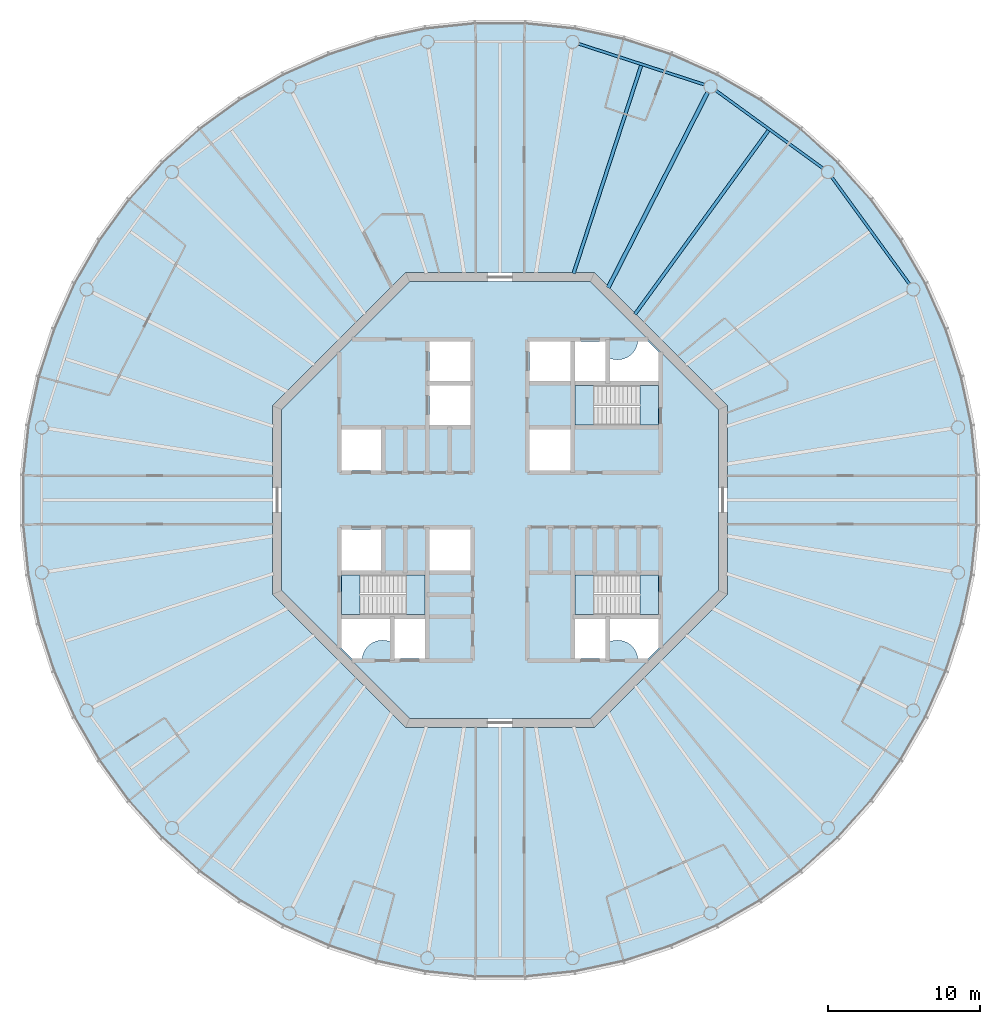
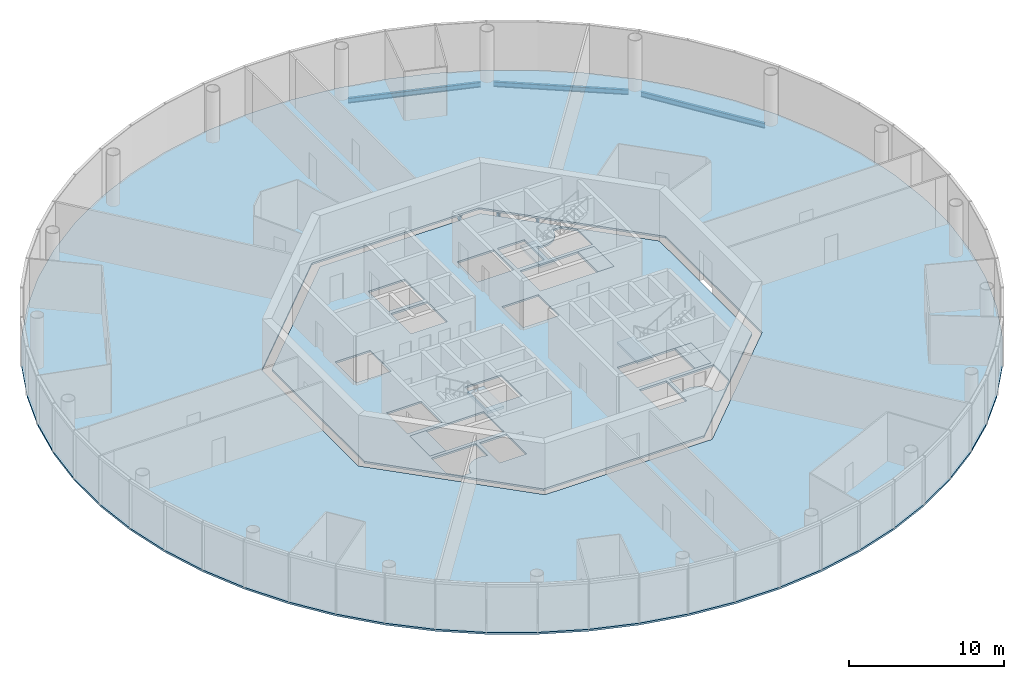
# One storey, part 2 of 13: 8 slabs, 6 beams, 3 elements without a shape of their own.
"""IFC4 building model written with IfcOpenShell, lengths in metres."""

from ifc_helpers import new_model, si_unit, direction, frame, origin, origin_2d, place, context, subcontext, project, spatial, polyline, i_section, outline, extrude, material, layer, layer_set, material_profile, profile_set, type_object, element, aggregate, save


model = new_model("IFC4")

# Units and contexts
model_context = context("Model", 3, precision=1e-05, world=origin(), true_north=direction((0.0, 1.0)))
body_context = subcontext(model_context, "Body", "Model", "MODEL_VIEW")
ifc_project = project(units=[si_unit("LENGTHUNIT", "METRE"), si_unit("AREAUNIT", "SQUARE_METRE"), si_unit("VOLUMEUNIT", "CUBIC_METRE"), si_unit("PLANEANGLEUNIT", "RADIAN"), si_unit("MASSUNIT", "GRAM", prefix="KILO")], contexts=[model_context])

# Site, building, storey
site_placement = place(None, origin())
site = spatial("IfcSite", under=ifc_project, at=site_placement, CompositionType="ELEMENT")
building_placement = place(site_placement, origin())
building = spatial("IfcBuilding", under=site, at=building_placement, Name="Entoto Ring Tower", CompositionType="ELEMENT")
storey_placement = place(building_placement, frame((0.0, 0.0, 384.0)))
storey = spatial("IfcBuildingStorey", under=building, at=storey_placement, Name="L89", CompositionType="ELEMENT", Elevation=384.0)

# Beams
ifc_material_1 = material(Name="Steel S355", Category="steel")
ifc_material_profile_1 = material_profile(ifc_material_1, i_section(OverallWidth=0.179931640625, OverallDepth=0.39990234375, WebThickness=0.008544921875, FlangeThickness=0.013427734375, FilletRadius=0.02099609375, at=origin_2d()), Name="IPE 400")
ifc_profile_set_1 = profile_set([ifc_material_profile_1], Name="Steel S355")
beam_type_1 = type_object("IfcBeamType", Name="Edge beam IPE 400", PredefinedType="SPANDREL", material=ifc_profile_set_1)
for number, where, z_axis, x_axis, name in (
    (1, (117.017333984375, 94.232666015625, -0.35009765625), (-0.587794254874, 0.80901045354, 0.0), (-0.80901045354, -0.587794254874, 0.0), "Edge beam L89 02"),
    (2, (111.296875, 101.884765625, -0.35009765625), (-0.80901045354, 0.587794254874, 0.0), (-0.587794254874, -0.80901045354, 0.0), "Edge beam L89 03"),
):
    element("IfcBeam", number, at=place(storey_placement, frame(where, z_axis=z_axis, x_axis=x_axis)), inside=storey, type_object=beam_type_1, Name=name, PredefinedType="SPANDREL", context=body_context, shape_type="SweptSolid", body=[
        extrude(i_section(OverallWidth=0.179931640625, OverallDepth=0.39990234375, WebThickness=0.008544921875, FlangeThickness=0.013427734375, FilletRadius=0.02099609375, at=origin_2d()), origin(), (0.0, 0.0, 1.0), 8.73193359375),
    ])
beam_1_placement = place(storey_placement, frame((103.491943359375, 107.394775390625, -0.35009765625), z_axis=(-0.951052147972, 0.309030438368, 0.0), x_axis=(-0.309030438368, -0.951052147972, 0.0)))
element("IfcBeam", 3, at=beam_1_placement, inside=storey, type_object=beam_type_1, Name="Edge beam L89 04", PredefinedType="SPANDREL", context=body_context, shape_type="SweptSolid", body=[
    extrude(i_section(OverallWidth=0.179931640625, OverallDepth=0.39990234375, WebThickness=0.008544921875, FlangeThickness=0.013427734375, FilletRadius=0.02099609375, at=origin_2d()), origin(), (0.0, 0.0, 1.0), 8.732177734375),
])
ifc_material_2 = material(Name="Steel S355", Category="steel")
ifc_material_profile_2 = material_profile(ifc_material_2, i_section(OverallWidth=0.262939453125, OverallDepth=0.7529296875, WebThickness=0.011474609375, FlangeThickness=0.01708984375, FilletRadius=0.01708984375, at=origin_2d()), Name="IPE 750 x 137")
ifc_profile_set_2 = profile_set([ifc_material_profile_2], Name="Steel S355")
beam_type_2 = type_object("IfcBeamType", Name="Primary floor beam IPE 750 x 137", PredefinedType="BEAM", material=ifc_profile_set_2)
beam_2_placement = place(storey_placement, frame((97.1318359375, 93.9970703125, -0.526611328125), z_axis=(0.453991952968, 0.89100578373, 0.0), x_axis=(-0.89100578373, 0.453991952968, 0.0)))
element("IfcBeam", 4, at=beam_2_placement, inside=storey, type_object=beam_type_2, Name="Primary L89 R04", PredefinedType="BEAM", context=body_context, shape_type="SweptSolid", body=[
    extrude(i_section(OverallWidth=0.262939453125, OverallDepth=0.7529296875, WebThickness=0.011474609375, FlangeThickness=0.01708984375, FilletRadius=0.01708984375, at=origin_2d()), origin(), (0.0, 0.0, 1.0), 14.48046875),
])
ifc_material_3 = material(Name="Steel S355", Category="steel")
ifc_material_profile_3 = material_profile(ifc_material_3, i_section(OverallWidth=0.219970703125, OverallDepth=0.60009765625, WebThickness=0.011962890625, FlangeThickness=0.01904296875, FilletRadius=0.02392578125, at=origin_2d()), Name="IPE 600")
ifc_profile_set_3 = profile_set([ifc_material_profile_3], Name="Steel S355")
beam_type_3 = type_object("IfcBeamType", Name="Secondary floor beam IPE 600", PredefinedType="JOIST", material=ifc_profile_set_3)
beam_3_placement = place(storey_placement, frame((98.90478515625, 92.25634765625, -0.449951171875), z_axis=(0.587782163866, 0.809019238239, 0.0), x_axis=(-0.809019238239, 0.587782163866, 0.0)))
element("IfcBeam", 5, at=beam_3_placement, inside=storey, type_object=beam_type_3, Name="Secondary beam L89 03", PredefinedType="JOIST", context=body_context, shape_type="SweptSolid", body=[
    extrude(i_section(OverallWidth=0.219970703125, OverallDepth=0.60009765625, WebThickness=0.011962890625, FlangeThickness=0.01904296875, FilletRadius=0.02392578125, at=origin_2d()), origin(), (0.0, 0.0, 1.0), 14.983642578125),
])
beam_4_placement = place(storey_placement, frame((94.856689453125, 94.947021484375, -0.449951171875), z_axis=(0.309014850288, 0.951057212949, 0.0), x_axis=(-0.951057212949, 0.309014850288, 0.0)))
element("IfcBeam", 6, at=beam_4_placement, inside=storey, type_object=beam_type_3, Name="Secondary beam L89 04", PredefinedType="JOIST", context=body_context, shape_type="SweptSolid", body=[
    extrude(i_section(OverallWidth=0.219970703125, OverallDepth=0.60009765625, WebThickness=0.011962890625, FlangeThickness=0.01904296875, FilletRadius=0.02392578125, at=origin_2d()), origin(), (0.0, 0.0, 1.0), 14.4169921875),
])

# Slabs
ifc_material_4 = material(Name="Concrete C30/37", Category="concrete")
ifc_layer_1 = layer(ifc_material_4, 0.14990234375)
ifc_layer_set_1 = layer_set([ifc_layer_1], Name="Concrete C30/37")
slab_type_1 = type_object("IfcSlabType", Name="Composite floor slab 150 mm", PredefinedType="FLOOR", material=ifc_layer_set_1)
slab_1_placement = place(storey_placement, frame((0.0, 0.0, -0.14990234375)))
element("IfcSlab", 7, at=slab_1_placement, inside=storey, type_object=slab_type_1, Name="Floor slab L89", PredefinedType="FLOOR", context=body_context, shape_type="SweptSolid", body=[
    extrude(outline(polyline([(121.2109375, 84.943359375), (120.523193359375, 88.1787109375), (119.501220703125, 91.324462890625), (118.15576171875, 94.34619140625), (116.501953125, 97.210693359375), (114.557861328125, 99.886474609375), (112.344482421875, 102.344482421875), (109.886474609375, 104.557861328125), (107.210693359375, 106.501953125), (104.34619140625, 108.15576171875), (101.324462890625, 109.501220703125), (98.1787109375, 110.523193359375), (94.943359375, 111.2109375), (91.65380859375, 111.556640625), (88.34619140625, 111.556640625), (85.056640625, 111.2109375), (81.8212890625, 110.523193359375), (78.675537109375, 109.501220703125), (75.65380859375, 108.15576171875), (72.789306640625, 106.501953125), (70.113525390625, 104.557861328125), (67.655517578125, 102.344482421875), (65.442138671875, 99.886474609375), (63.498046875, 97.210693359375), (61.84423828125, 94.34619140625), (60.498779296875, 91.324462890625), (59.476806640625, 88.1787109375), (58.7890625, 84.943359375), (58.443359375, 81.65380859375), (58.443359375, 78.34619140625), (58.7890625, 75.056640625), (59.476806640625, 71.8212890625), (60.498779296875, 68.675537109375), (61.84423828125, 65.65380859375), (63.498046875, 62.789306640625), (65.442138671875, 60.113525390625), (67.655517578125, 57.655517578125), (70.113525390625, 55.442138671875), (72.789306640625, 53.498046875), (75.65380859375, 51.84423828125), (78.675537109375, 50.498779296875), (81.8212890625, 49.476806640625), (85.056640625, 48.7890625), (88.34619140625, 48.443359375), (91.65380859375, 48.443359375), (94.943359375, 48.7890625), (98.1787109375, 49.476806640625), (101.324462890625, 50.498779296875), (104.34619140625, 51.84423828125), (107.210693359375, 53.498046875), (109.886474609375, 55.442138671875), (112.344482421875, 57.655517578125), (114.557861328125, 60.113525390625), (116.501953125, 62.789306640625), (118.15576171875, 65.65380859375), (119.501220703125, 68.675537109375), (120.523193359375, 71.8212890625), (121.2109375, 75.056640625), (121.556640625, 78.34619140625), (121.556640625, 81.65380859375), (121.2109375, 84.943359375)]), holes=[polyline([(105.0, 73.786865234375), (105.0, 86.213134765625), (96.213134765625, 95.0), (83.786865234375, 95.0), (75.0, 86.213134765625), (75.0, 73.786865234375), (83.786865234375, 65.0), (96.213134765625, 65.0), (105.0, 73.786865234375)])]), origin(), (0.0, 0.0, 1.0), 0.14990234375),
])
ifc_material_5 = material(Name="Concrete C40/50", Category="concrete")
ifc_layer_2 = layer(ifc_material_5, 0.14990234375)
ifc_layer_set_2 = layer_set([ifc_layer_2], Name="Concrete C40/50")
slab_type_2 = type_object("IfcSlabType", Name="Core floor slab 150 mm reinforced concrete C40/50", PredefinedType="FLOOR", material=ifc_layer_set_2)
slab_2_placement = place(storey_placement, frame((0.0, 0.0, -0.14990234375)))
element("IfcSlab", 8, at=slab_2_placement, inside=storey, type_object=slab_type_2, Name="Core floor L89", PredefinedType="FLOOR", context=body_context, shape_type="SweptSolid", body=[
    extrude(outline(polyline([(104.39990234375, 74.035400390625), (104.39990234375, 85.964599609375), (95.964599609375, 94.39990234375), (84.035400390625, 94.39990234375), (75.60009765625, 85.964599609375), (75.60009765625, 74.035400390625), (84.035400390625, 65.60009765625), (95.964599609375, 65.60009765625), (104.39990234375, 74.035400390625)]), holes=[polyline([(100.449951171875, 84.949951171875), (100.449951171875, 87.550048828125), (94.949951171875, 87.550048828125), (94.949951171875, 84.949951171875), (100.449951171875, 84.949951171875)]), polyline([(85.050048828125, 72.449951171875), (85.050048828125, 75.050048828125), (79.550048828125, 75.050048828125), (79.550048828125, 72.449951171875), (85.050048828125, 72.449951171875)]), polyline([(100.449951171875, 72.449951171875), (100.449951171875, 75.050048828125), (94.949951171875, 75.050048828125), (94.949951171875, 72.449951171875), (100.449951171875, 72.449951171875)]), polyline([(94.949951171875, 90.449951171875), (94.949951171875, 87.85009765625), (96.949951171875, 87.85009765625), (96.949951171875, 90.449951171875), (94.949951171875, 90.449951171875)]), polyline([(94.949951171875, 72.14990234375), (94.949951171875, 69.550048828125), (96.949951171875, 69.550048828125), (96.949951171875, 72.14990234375), (94.949951171875, 72.14990234375)]), polyline([(83.050048828125, 72.14990234375), (83.050048828125, 69.550048828125), (85.050048828125, 69.550048828125), (85.050048828125, 72.14990234375), (83.050048828125, 72.14990234375)]), polyline([(79.550048828125, 81.949951171875), (82.14990234375, 81.949951171875), (82.14990234375, 84.64990234375), (79.550048828125, 84.64990234375), (79.550048828125, 81.949951171875)]), polyline([(79.550048828125, 75.35009765625), (82.14990234375, 75.35009765625), (82.14990234375, 78.050048828125), (79.550048828125, 78.050048828125), (79.550048828125, 75.35009765625)]), polyline([(91.949951171875, 87.85009765625), (94.64990234375, 87.85009765625), (94.64990234375, 90.449951171875), (91.949951171875, 90.449951171875), (91.949951171875, 87.85009765625)]), polyline([(91.949951171875, 81.949951171875), (94.64990234375, 81.949951171875), (94.64990234375, 84.64990234375), (91.949951171875, 84.64990234375), (91.949951171875, 81.949951171875)]), polyline([(85.35009765625, 75.35009765625), (88.050048828125, 75.35009765625), (88.050048828125, 78.050048828125), (85.35009765625, 78.050048828125), (85.35009765625, 75.35009765625)]), polyline([(85.35009765625, 84.949951171875), (88.050048828125, 84.949951171875), (88.050048828125, 87.550048828125), (85.35009765625, 87.550048828125), (85.35009765625, 84.949951171875)]), polyline([(85.35009765625, 87.85009765625), (88.050048828125, 87.85009765625), (88.050048828125, 90.449951171875), (85.35009765625, 90.449951171875), (85.35009765625, 87.85009765625)]), polyline([(97.199951171875, 89.368408203125), (97.199951171875, 87.800048828125), (100.5, 87.800048828125), (100.5, 89.723388671875), (99.723388671875, 90.5), (99.09521484375, 90.5), (99.093505859375, 90.4677734375), (99.07421875, 90.336669921875), (99.0419921875, 90.2080078125), (98.997314453125, 90.08349609375), (98.940673828125, 89.963623046875), (98.87255859375, 89.85009765625), (98.793701171875, 89.74365234375), (98.70458984375, 89.6455078125), (98.6064453125, 89.556396484375), (98.5, 89.4775390625), (98.386474609375, 89.409423828125), (98.2666015625, 89.352783203125), (98.141845703125, 89.30810546875), (98.013427734375, 89.27587890625), (97.88232421875, 89.256591796875), (97.75, 89.25), (97.61767578125, 89.256591796875), (97.486572265625, 89.27587890625), (97.358154296875, 89.30810546875), (97.2333984375, 89.352783203125), (97.199951171875, 89.368408203125)]), polyline([(80.276611328125, 69.5), (80.90478515625, 69.5), (80.906494140625, 69.5322265625), (80.92578125, 69.663330078125), (80.9580078125, 69.7919921875), (81.002685546875, 69.91650390625), (81.059326171875, 70.036376953125), (81.12744140625, 70.14990234375), (81.206298828125, 70.25634765625), (81.29541015625, 70.3544921875), (81.3935546875, 70.443603515625), (81.5, 70.5224609375), (81.613525390625, 70.590576171875), (81.7333984375, 70.647216796875), (81.858154296875, 70.69189453125), (81.986572265625, 70.72412109375), (82.11767578125, 70.743408203125), (82.25, 70.75), (82.38232421875, 70.743408203125), (82.513427734375, 70.72412109375), (82.641845703125, 70.69189453125), (82.7666015625, 70.647216796875), (82.800048828125, 70.631591796875), (82.800048828125, 72.199951171875), (79.5, 72.199951171875), (79.5, 70.276611328125), (80.276611328125, 69.5)]), polyline([(99.09521484375, 69.5), (99.723388671875, 69.5), (100.5, 70.276611328125), (100.5, 72.199951171875), (97.199951171875, 72.199951171875), (97.199951171875, 70.631591796875), (97.2333984375, 70.647216796875), (97.358154296875, 70.69189453125), (97.486572265625, 70.72412109375), (97.61767578125, 70.743408203125), (97.75, 70.75), (97.88232421875, 70.743408203125), (98.013427734375, 70.72412109375), (98.141845703125, 70.69189453125), (98.2666015625, 70.647216796875), (98.386474609375, 70.590576171875), (98.5, 70.5224609375), (98.6064453125, 70.443603515625), (98.70458984375, 70.3544921875), (98.793701171875, 70.25634765625), (98.87255859375, 70.14990234375), (98.940673828125, 70.036376953125), (98.997314453125, 69.91650390625), (99.0419921875, 69.7919921875), (99.07421875, 69.663330078125), (99.093505859375, 69.5322265625), (99.09521484375, 69.5)])]), origin(), (0.0, 0.0, 1.0), 0.14990234375),
])

# Stair, slabs
ifc_material_6 = material(Name="Concrete C40/50", Category="concrete")
stair_type = type_object("IfcStairType", Name="Exit stair 1200 mm dog-leg reinforced concrete", PredefinedType="HALF_TURN_STAIR", material=ifc_material_6)
stair_1_placement = place(storey_placement, origin())
stair_1 = element("IfcStair", 9, at=stair_1_placement, inside=storey, type_object=stair_type, Name="Exit stair 1", PredefinedType="HALF_TURN_STAIR")
ifc_material_7 = material(Name="Concrete C40/50", Category="concrete")
ifc_layer_3 = layer(ifc_material_7, 0.199951171875)
ifc_layer_set_3 = layer_set([ifc_layer_3], Name="Concrete C40/50")
slab_type_3 = type_object("IfcSlabType", Name="Stair landing 200 mm reinforced concrete", PredefinedType="LANDING", material=ifc_layer_set_3)
slab_3_placement = place(storey_placement, frame((0.0, 0.0, -0.199951171875)))
slab_3 = element("IfcSlab", 10, at=slab_3_placement, type_object=slab_type_3, Name="ST1 landing 1", PredefinedType="LANDING", context=body_context, shape_type="SweptSolid", body=[
    extrude(outline(polyline([(100.449951171875, 84.949951171875), (100.449951171875, 87.550048828125), (99.25, 87.550048828125), (99.25, 84.949951171875), (100.449951171875, 84.949951171875)])), origin(), (0.0, 0.0, 1.0), 0.199951171875),
])
slab_4_placement = place(storey_placement, frame((0.0, 0.0, 1.800048828125)))
slab_4 = element("IfcSlab", 11, at=slab_4_placement, type_object=slab_type_3, Name="ST1 landing 2", PredefinedType="LANDING", context=body_context, shape_type="SweptSolid", body=[
    extrude(outline(polyline([(94.949951171875, 84.949951171875), (96.169921875, 84.949951171875), (96.169921875, 87.550048828125), (94.949951171875, 87.550048828125), (94.949951171875, 84.949951171875)])), origin(), (0.0, 0.0, 1.0), 0.199951171875),
])
aggregate(stair_1, [slab_3, slab_4])

stair_2_placement = place(storey_placement, origin())
stair_2 = element("IfcStair", 12, at=stair_2_placement, inside=storey, type_object=stair_type, Name="Exit stair 2", PredefinedType="HALF_TURN_STAIR")
slab_5_placement = place(storey_placement, frame((0.0, 0.0, -0.199951171875)))
slab_5 = element("IfcSlab", 13, at=slab_5_placement, type_object=slab_type_3, Name="ST2 landing 1", PredefinedType="LANDING", context=body_context, shape_type="SweptSolid", body=[
    extrude(outline(polyline([(80.75, 72.449951171875), (80.75, 75.050048828125), (79.550048828125, 75.050048828125), (79.550048828125, 72.449951171875), (80.75, 72.449951171875)])), origin(), (0.0, 0.0, 1.0), 0.199951171875),
])
slab_6_placement = place(storey_placement, frame((0.0, 0.0, 1.800048828125)))
slab_6 = element("IfcSlab", 14, at=slab_6_placement, type_object=slab_type_3, Name="ST2 landing 2", PredefinedType="LANDING", context=body_context, shape_type="SweptSolid", body=[
    extrude(outline(polyline([(83.830078125, 72.449951171875), (85.050048828125, 72.449951171875), (85.050048828125, 75.050048828125), (83.830078125, 75.050048828125), (83.830078125, 72.449951171875)])), origin(), (0.0, 0.0, 1.0), 0.199951171875),
])
aggregate(stair_2, [slab_5, slab_6])

stair_3_placement = place(storey_placement, origin())
stair_3 = element("IfcStair", 15, at=stair_3_placement, inside=storey, type_object=stair_type, Name="Exit stair 3", PredefinedType="HALF_TURN_STAIR")
slab_7_placement = place(storey_placement, frame((0.0, 0.0, -0.199951171875)))
slab_7 = element("IfcSlab", 16, at=slab_7_placement, type_object=slab_type_3, Name="ST3 landing 1", PredefinedType="LANDING", context=body_context, shape_type="SweptSolid", body=[
    extrude(outline(polyline([(100.449951171875, 72.449951171875), (100.449951171875, 75.050048828125), (99.25, 75.050048828125), (99.25, 72.449951171875), (100.449951171875, 72.449951171875)])), origin(), (0.0, 0.0, 1.0), 0.199951171875),
])
slab_8_placement = place(storey_placement, frame((0.0, 0.0, 1.800048828125)))
slab_8 = element("IfcSlab", 17, at=slab_8_placement, type_object=slab_type_3, Name="ST3 landing 2", PredefinedType="LANDING", context=body_context, shape_type="SweptSolid", body=[
    extrude(outline(polyline([(94.949951171875, 72.449951171875), (96.169921875, 72.449951171875), (96.169921875, 75.050048828125), (94.949951171875, 75.050048828125), (94.949951171875, 72.449951171875)])), origin(), (0.0, 0.0, 1.0), 0.199951171875),
])
aggregate(stair_3, [slab_7, slab_8])

save(model, "model.ifc")
